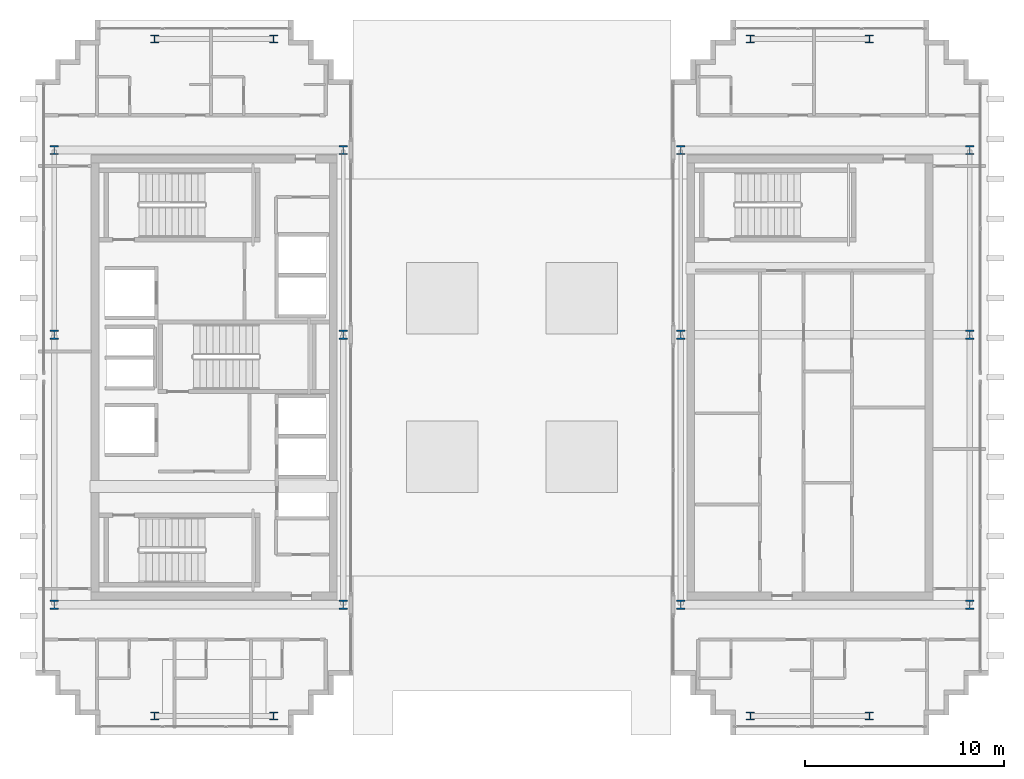
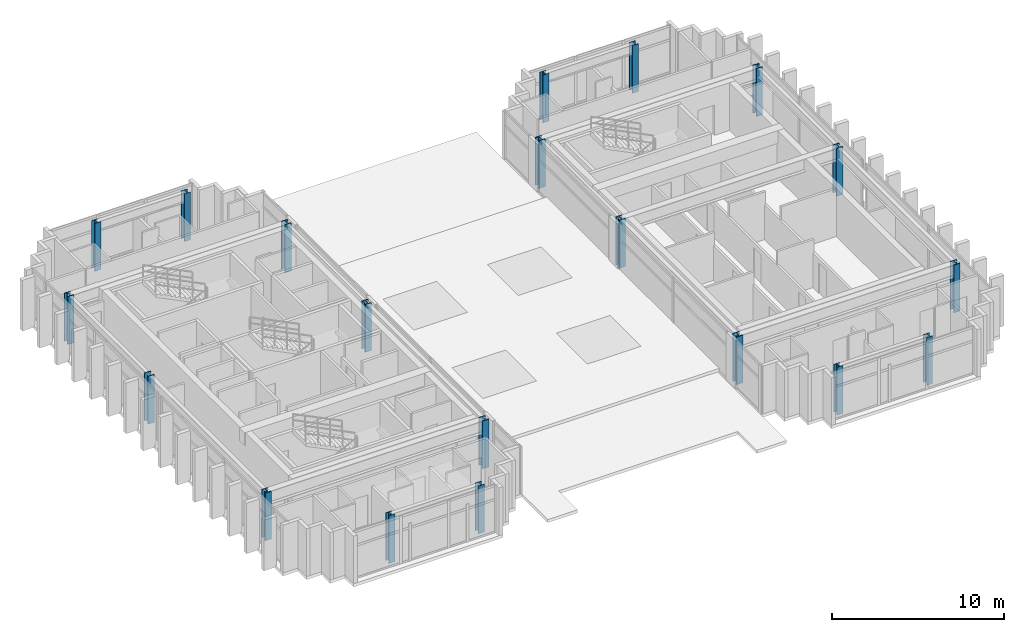
# One storey, part 1 of 25: 20 columns.
"""IFC4 building model written with IfcOpenShell, lengths in metres."""

from ifc_helpers import new_model, si_unit, direction, frame, origin, origin_2d, place, context, subcontext, project, spatial, i_section, extrude, source, transform, mapped, material, material_profile, profile_set, type_object, element, save


model = new_model("IFC4")

# Units and contexts
model_context = context("Model", 3, precision=1e-05, world=origin(), true_north=direction((0.0, 1.0)))
body_context = subcontext(model_context, "Body", "Model", "MODEL_VIEW")
ifc_project = project(units=[si_unit("LENGTHUNIT", "METRE"), si_unit("AREAUNIT", "SQUARE_METRE"), si_unit("VOLUMEUNIT", "CUBIC_METRE"), si_unit("PLANEANGLEUNIT", "RADIAN"), si_unit("MASSUNIT", "GRAM", prefix="KILO")], contexts=[model_context])

# Site, building, storey
site_placement = place(None, origin())
site = spatial("IfcSite", under=ifc_project, at=site_placement, CompositionType="ELEMENT")
building_placement = place(site_placement, origin())
building = spatial("IfcBuilding", under=site, at=building_placement, Name="Ocotamira Hotel", CompositionType="ELEMENT")
storey_placement = place(building_placement, frame((0.0, 0.0, 250.800048828125)))
storey = spatial("IfcBuildingStorey", under=building, at=storey_placement, Name="L63", CompositionType="ELEMENT", Elevation=250.800048828125)

# Columns
ifc_material_1 = material(Name="Steel ASTM A913 Grade 65", Category="steel")
ifc_material_profile_1 = material_profile(ifc_material_1, i_section(OverallWidth=0.422119140625, OverallDepth=0.465087890625, WebThickness=0.044921875, FlangeThickness=0.072509765625, FilletRadius=0.02490234375, at=origin_2d()), Name="W14X398")
ifc_profile_set_1 = profile_set([ifc_material_profile_1], Name="Steel ASTM A913 Grade 65")
column_type_1 = type_object("IfcColumnType", Name="COL-W14X398", PredefinedType="COLUMN", material=ifc_profile_set_1)
shared_shape_1 = source(origin(), body_context, "Body", "SweptSolid", [
    extrude(i_section(OverallWidth=0.422119140625, OverallDepth=0.465087890625, WebThickness=0.044921875, FlangeThickness=0.072509765625, FilletRadius=0.02490234375, at=origin_2d()), origin(), (0.0, 0.0, 1.0), 3.3798828125),
])
for number, where, z_axis, x_axis, name in (
    (1, (8.949951171875, 14.550048828125, 0.0), (0.0, 0.0, 1.0), (1.0, 0.0, 0.0), "L63 Column TW8_14"),
    (2, (23.5, 14.550048828125, 0.0), (0.0, 0.0, 1.0), (1.0, 0.0, 0.0), "L63 Column TW23_14"),
    (3, (40.5, 14.550048828125, 0.0), (0.0, 0.0, 1.0), (1.0, 0.0, 0.0), "L63 Column TE40_14"),
    (4, (55.050048828125, 14.550048828125, 0.0), (0.0, 0.0, 1.0), (1.0, 0.0, 0.0), "L63 Column TE55_14"),
    (5, (8.949951171875, 28.14990234375, 0.0), (0.0, 0.0, 1.0), (1.0, 0.0, 0.0), "L63 Column TW8_28"),
    (6, (23.5, 28.14990234375, 0.0), (0.0, 0.0, 1.0), (1.0, 0.0, 0.0), "L63 Column TW23_28"),
    (7, (40.5, 28.14990234375, 0.0), (0.0, 0.0, 1.0), (1.0, 0.0, 0.0), "L63 Column TE40_28"),
    (8, (55.050048828125, 28.14990234375, 0.0), (0.0, 0.0, 1.0), (1.0, 0.0, 0.0), "L63 Column TE55_28"),
    (9, (8.949951171875, 37.449951171875, 0.0), (0.0, 0.0, 1.0), (1.0, 0.0, 0.0), "L63 Column TW8_37"),
    (10, (23.5, 37.449951171875, 0.0), (0.0, 0.0, 1.0), (1.0, 0.0, 0.0), "L63 Column TW23_37"),
    (11, (40.5, 37.449951171875, 0.0), (0.0, 0.0, 1.0), (1.0, 0.0, 0.0), "L63 Column TE40_37"),
    (12, (55.050048828125, 37.449951171875, 0.0), (0.0, 0.0, 1.0), (1.0, 0.0, 0.0), "L63 Column TE55_37"),
):
    element("IfcColumn", number, at=place(storey_placement, frame(where, z_axis=z_axis, x_axis=x_axis)), inside=storey, type_object=column_type_1, Name=name, PredefinedType="COLUMN", context=body_context, shape_type="MappedRepresentation", body=[
        mapped(shared_shape_1, transform((0.0, 0.0, 0.0), scale=1.0)),
    ])
ifc_material_2 = material(Name="Steel ASTM A992 Grade 50", Category="steel")
ifc_material_profile_2 = material_profile(ifc_material_2, i_section(OverallWidth=0.39892578125, OverallDepth=0.386962890625, WebThickness=0.02099609375, FlangeThickness=0.033203125, FilletRadius=0.02490234375, at=origin_2d()), Name="W14X176")
ifc_profile_set_2 = profile_set([ifc_material_profile_2], Name="Steel ASTM A992 Grade 50")
column_type_2 = type_object("IfcColumnType", Name="COL-W14X176", PredefinedType="COLUMN", material=ifc_profile_set_2)
shared_shape_2 = source(origin(), body_context, "Body", "SweptSolid", [
    extrude(i_section(OverallWidth=0.39892578125, OverallDepth=0.386962890625, WebThickness=0.02099609375, FlangeThickness=0.033203125, FilletRadius=0.02490234375, at=origin_2d()), origin(), (0.0, 0.0, 1.0), 3.3798828125),
])
for number, where, z_axis, x_axis, name in (
    (13, (14.0, 8.949951171875, 0.0), (0.0, 0.0, 1.0), (1.0, 0.0, 0.0), "L63 Column NSP1_14"),
    (14, (20.0, 8.949951171875, 0.0), (0.0, 0.0, 1.0), (1.0, 0.0, 0.0), "L63 Column NSP1_20"),
    (15, (44.0, 8.949951171875, 0.0), (0.0, 0.0, 1.0), (1.0, 0.0, 0.0), "L63 Column NSP1_44"),
    (16, (50.0, 8.949951171875, 0.0), (0.0, 0.0, 1.0), (1.0, 0.0, 0.0), "L63 Column NSP1_50"),
    (17, (14.0, 43.050048828125, 0.0), (0.0, 0.0, 1.0), (1.0, 0.0, 0.0), "L63 Column NSP2_14"),
    (18, (20.0, 43.050048828125, 0.0), (0.0, 0.0, 1.0), (1.0, 0.0, 0.0), "L63 Column NSP2_20"),
    (19, (44.0, 43.050048828125, 0.0), (0.0, 0.0, 1.0), (1.0, 0.0, 0.0), "L63 Column NSP2_44"),
    (20, (50.0, 43.050048828125, 0.0), (0.0, 0.0, 1.0), (1.0, 0.0, 0.0), "L63 Column NSP2_50"),
):
    element("IfcColumn", number, at=place(storey_placement, frame(where, z_axis=z_axis, x_axis=x_axis)), inside=storey, type_object=column_type_2, Name=name, PredefinedType="COLUMN", context=body_context, shape_type="MappedRepresentation", body=[
        mapped(shared_shape_2, transform((0.0, 0.0, 0.0), scale=1.0)),
    ])

save(model, "model.ifc")
